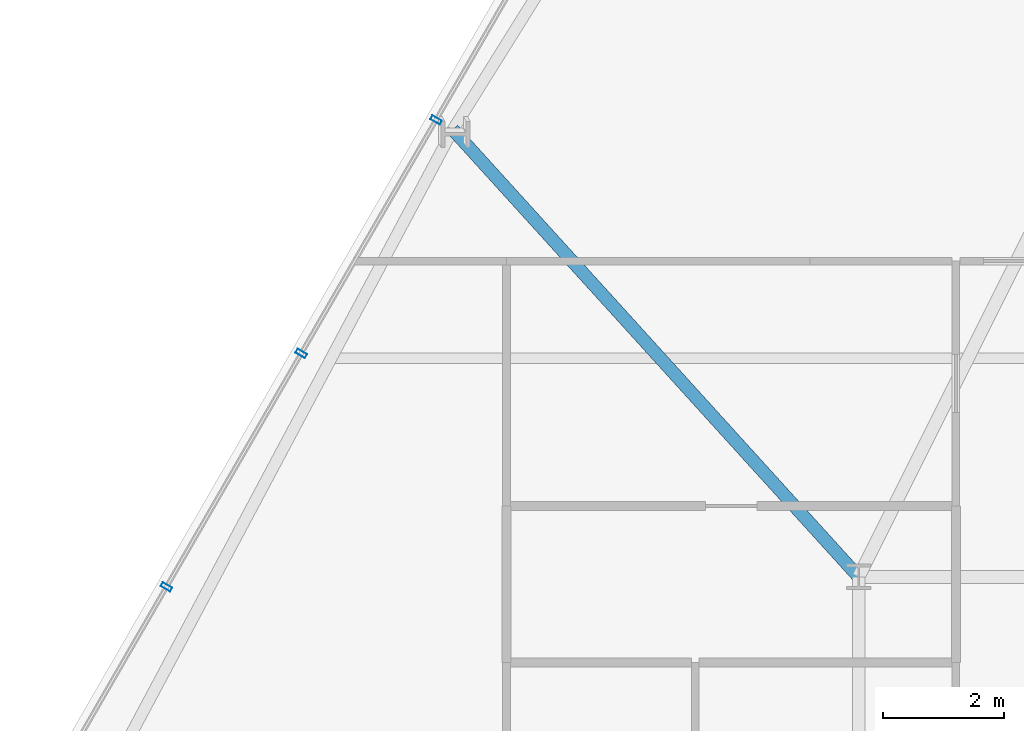
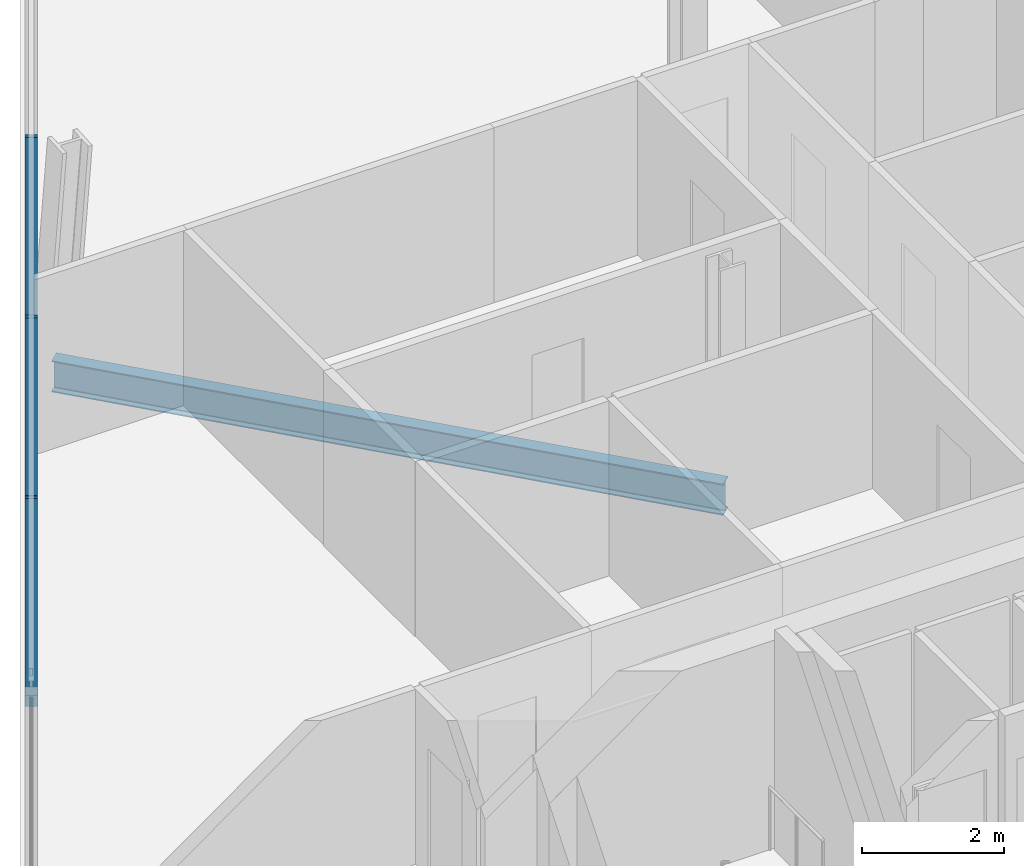
# One storey, part 11 of 31: 3 members, 1 beam, 1 element without a shape of its own.
"""IFC4 building model written with IfcOpenShell, lengths in metres."""

from ifc_helpers import new_model, si_unit, direction, frame, origin, origin_2d, place, context, subcontext, project, spatial, hollow_rectangle, i_section, extrude, material, layer, layer_set, material_profile, profile_set, type_object, element, aggregate, save


model = new_model("IFC4")

# Units and contexts
model_context = context("Model", 3, precision=1e-05, world=origin(), true_north=direction((0.0, 1.0)))
body_context = subcontext(model_context, "Body", "Model", "MODEL_VIEW")
ifc_project = project(units=[si_unit("LENGTHUNIT", "METRE"), si_unit("AREAUNIT", "SQUARE_METRE"), si_unit("VOLUMEUNIT", "CUBIC_METRE"), si_unit("PLANEANGLEUNIT", "RADIAN"), si_unit("MASSUNIT", "GRAM", prefix="KILO")], contexts=[model_context])

# Site, building, storey
site_placement = place(None, origin())
site = spatial("IfcSite", under=ifc_project, at=site_placement, CompositionType="ELEMENT")
building_placement = place(site_placement, origin())
building = spatial("IfcBuilding", under=site, at=building_placement, Name="Ndaravel Arena Tower", CompositionType="ELEMENT")
storey_placement = place(building_placement, frame((0.0, 0.0, 146.0)))
storey = spatial("IfcBuildingStorey", under=building, at=storey_placement, Name="L34", CompositionType="ELEMENT", Elevation=146.0)

# Beam
ifc_material_1 = material(Name="Steel S355", Category="steel")
ifc_material_profile_1 = material_profile(ifc_material_1, i_section(OverallWidth=0.210693359375, OverallDepth=0.53955078125, WebThickness=0.01171875, FlangeThickness=0.018798828125, FilletRadius=0.0126953125, at=origin_2d()), Name="UB 533x210x109")
ifc_profile_set_1 = profile_set([ifc_material_profile_1], Name="Steel S355")
beam_type = type_object("IfcBeamType", Name="BM-GIRD-UB533", PredefinedType="BEAM", material=ifc_profile_set_1)
beam_placement = place(storey_placement, frame((27.517578125, 30.564208984375, -0.48974609375), z_axis=(0.671989407825, -0.74056075765, 0.0), x_axis=(0.74056075765, 0.671989407825, 0.0)))
element("IfcBeam", 1, at=beam_placement, inside=storey, type_object=beam_type, Name="L34 Radial Floor Girder FG-19", PredefinedType="BEAM", context=body_context, shape_type="SweptSolid", body=[
    extrude(i_section(OverallWidth=0.210693359375, OverallDepth=0.53955078125, WebThickness=0.01171875, FlangeThickness=0.018798828125, FilletRadius=0.0126953125, at=origin_2d()), origin(), (0.0, 0.0, 1.0), 9.944091796875),
])

# Curtain wall, members
ifc_material_2 = material(Name="Aluminium", Category="aluminium")
ifc_layer = layer(ifc_material_2, 0.179931640625)
ifc_layer_set = layer_set([ifc_layer], Name="Aluminium")
curtain_wall_type = type_object("IfcCurtainWallType", Name="CW-SYS-03", PredefinedType="NOTDEFINED", material=ifc_layer_set)
curtain_wall_placement = place(storey_placement, origin())
curtain_wall = element("IfcCurtainWall", 2, at=curtain_wall_placement, inside=storey, type_object=curtain_wall_type, Name="L34 Faceted Crystal Curtain Wall CW-L34-E05", PredefinedType="NOTDEFINED")
ifc_material_3 = material(Name="Aluminium", Category="aluminium")
ifc_material_profile_2 = material_profile(ifc_material_3, hollow_rectangle(XDim=0.074951171875, YDim=0.179931640625, WallThickness=0.00390625, at=origin_2d()), Name="CW MULLION 75x180x4")
ifc_profile_set_2 = profile_set([ifc_material_profile_2], Name="Aluminium")
member_type = type_object("IfcMemberType", Name="MEM-CW-MUL180", PredefinedType="MULLION", material=ifc_profile_set_2)
member_1_placement = place(storey_placement, frame((27.240478515625, 30.72412109375, 0.0), z_axis=(0.0, 0.0, 1.0), x_axis=(-0.5, -0.866025403784, 0.0)))
member_1 = element("IfcMember", 3, at=member_1_placement, type_object=member_type, Name="CW-L34-E05 Mullion 04", PredefinedType="MULLION", context=body_context, shape_type="SweptSolid", body=[
    extrude(hollow_rectangle(XDim=0.074951171875, YDim=0.179931640625, WallThickness=0.00390625, at=origin_2d()), origin(), (0.0, 0.0, 1.0), 3.580078125),
])
member_2_placement = place(storey_placement, frame((25.0205078125, 26.87890625, 0.0), z_axis=(0.0, 0.0, 1.0), x_axis=(-0.5, -0.866025403784, 0.0)))
member_2 = element("IfcMember", 4, at=member_2_placement, type_object=member_type, Name="CW-L34-E05 Mullion 05", PredefinedType="MULLION", context=body_context, shape_type="SweptSolid", body=[
    extrude(hollow_rectangle(XDim=0.074951171875, YDim=0.179931640625, WallThickness=0.00390625, at=origin_2d()), origin(), (0.0, 0.0, 1.0), 3.580078125),
])
member_3_placement = place(storey_placement, frame((22.800537109375, 23.03369140625, 0.0), z_axis=(0.0, 0.0, 1.0), x_axis=(-0.5, -0.866025403784, 0.0)))
member_3 = element("IfcMember", 5, at=member_3_placement, type_object=member_type, Name="CW-L34-E05 Mullion 06", PredefinedType="MULLION", context=body_context, shape_type="SweptSolid", body=[
    extrude(hollow_rectangle(XDim=0.074951171875, YDim=0.179931640625, WallThickness=0.00390625, at=origin_2d()), origin(), (0.0, 0.0, 1.0), 3.580078125),
])
aggregate(curtain_wall, [member_1, member_2, member_3])

save(model, "model.ifc")
